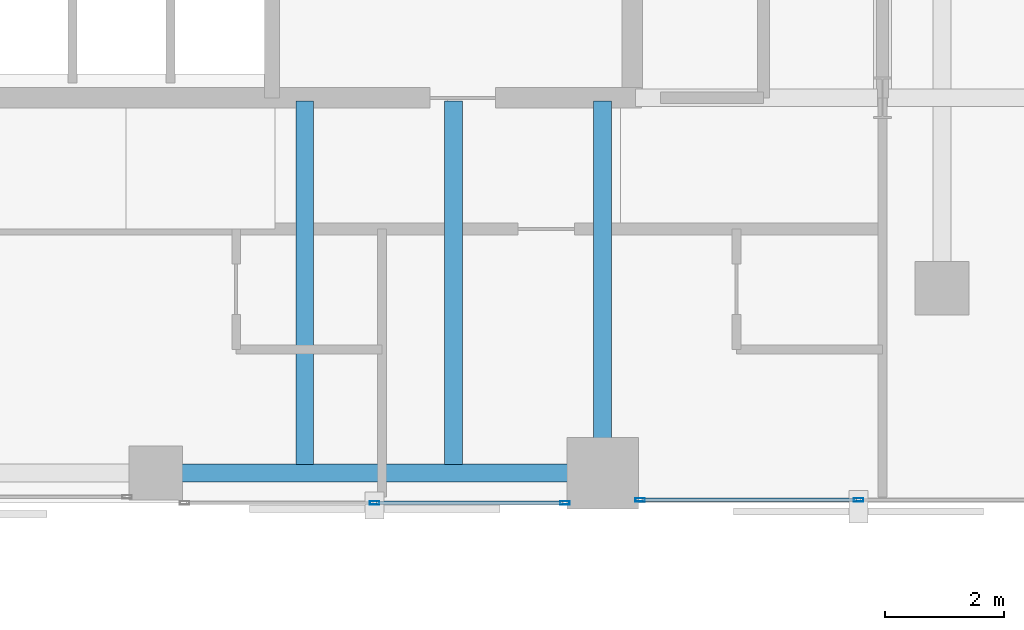
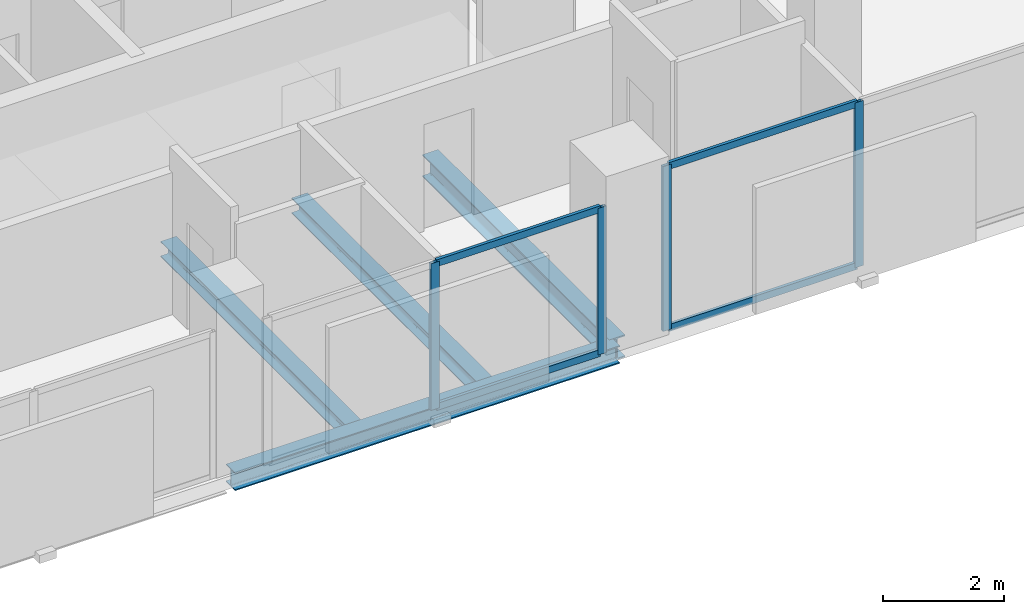
# One storey, part 14 of 33: 8 members, 4 beams, 2 elements without a shape of their own.
"""IFC4 building model written with IfcOpenShell, lengths in metres."""

from ifc_helpers import new_model, si_unit, direction, frame, origin, origin_2d, place, context, subcontext, project, spatial, hollow_rectangle, i_section, extrude, material, layer, layer_set, material_profile, profile_set, type_object, element, aggregate, save


model = new_model("IFC4")

# Units and contexts
model_context = context("Model", 3, precision=1e-05, world=origin(), true_north=direction((0.0, 1.0)))
body_context = subcontext(model_context, "Body", "Model", "MODEL_VIEW")
ifc_project = project(units=[si_unit("LENGTHUNIT", "METRE"), si_unit("AREAUNIT", "SQUARE_METRE"), si_unit("VOLUMEUNIT", "CUBIC_METRE"), si_unit("PLANEANGLEUNIT", "RADIAN"), si_unit("MASSUNIT", "GRAM", prefix="KILO")], contexts=[model_context])

# Site, building, storey
site_placement = place(None, origin())
site = spatial("IfcSite", under=ifc_project, at=site_placement, CompositionType="ELEMENT")
building_placement = place(site_placement, origin())
building = spatial("IfcBuilding", under=site, at=building_placement, Name="Catumbela Crestline Tower", CompositionType="ELEMENT")
storey_placement = place(building_placement, frame((0.0, 0.0, 108.0)))
storey = spatial("IfcBuildingStorey", under=building, at=storey_placement, Name="L27", CompositionType="ELEMENT", Elevation=108.0)

# Beams
ifc_material_1 = material(Name="Structural steel S355J2", Category="steel")
ifc_material_profile_1 = material_profile(ifc_material_1, i_section(OverallWidth=0.3, OverallDepth=0.45, WebThickness=0.014, FlangeThickness=0.026, FilletRadius=0.027, at=origin_2d()), Name="HEB 450")
ifc_profile_set_1 = profile_set([ifc_material_profile_1], Name="Structural steel S355J2")
beam_type_1 = type_object("IfcBeamType", Name="BG-HEB450", PredefinedType="BEAM", material=ifc_profile_set_1)
beam_1_placement = place(storey_placement, frame((39.5, 24.58, -0.485), z_axis=(0.0, 1.0, 0.0), x_axis=(-1.0, 0.0, 0.0)))
element("IfcBeam", 1, at=beam_1_placement, inside=storey, type_object=beam_type_1, Name="L27 Beam BM-L27-SNS31", PredefinedType="BEAM", context=body_context, shape_type="SweptSolid", body=[
    extrude(i_section(OverallWidth=0.3, OverallDepth=0.45, WebThickness=0.014, FlangeThickness=0.026, FilletRadius=0.027, at=origin_2d()), origin(), (0.0, 0.0, 1.0), 6.17),
])
ifc_material_profile_2 = material_profile(ifc_material_1, i_section(OverallWidth=0.3, OverallDepth=0.31, WebThickness=0.009, FlangeThickness=0.0155, FilletRadius=0.027, at=origin_2d()), Name="HEA 320")
ifc_profile_set_2 = profile_set([ifc_material_profile_2], Name="Structural steel S355J2")
beam_type_2 = type_object("IfcBeamType", Name="BJ-HEA320", PredefinedType="JOIST", material=ifc_profile_set_2)
for number, where, z_axis, x_axis, name in (
    (2, (34.5, 24.647, -0.415), (0.0, 1.0, 0.0), (-1.0, 0.0, 0.0), "L27 Joist JS-L27-SP41"),
    (3, (37.0, 24.647, -0.415), (0.0, 1.0, 0.0), (-1.0, 0.0, 0.0), "L27 Joist JS-L27-SP42"),
):
    element("IfcBeam", number, at=place(storey_placement, frame(where, z_axis=z_axis, x_axis=x_axis)), inside=storey, type_object=beam_type_2, Name=name, PredefinedType="JOIST", context=body_context, shape_type="SweptSolid", body=[
        extrude(i_section(OverallWidth=0.3, OverallDepth=0.31, WebThickness=0.009, FlangeThickness=0.0155, FilletRadius=0.027, at=origin_2d()), origin(), (0.0, 0.0, 1.0), 6.103),
    ])

# Curtain wall, members
ifc_material_2 = material(Name="Aluminium alloy AW-6060-T66", Category="aluminium")
ifc_layer = layer(ifc_material_2, 0.18, Name="Aluminium alloy AW-6060-T66")
ifc_layer_set = layer_set([ifc_layer], Name="Aluminium alloy AW-6060-T66")
curtain_wall_type = type_object("IfcCurtainWallType", Name="CWU-Z2", PredefinedType="USERDEFINED", material=ifc_layer_set)
curtain_wall_1_placement = place(storey_placement, origin())
curtain_wall_1 = element("IfcCurtainWall", 4, at=curtain_wall_1_placement, inside=storey, type_object=curtain_wall_type, Name="L27 Unitised Curtain Wall CW-L27-E3S2", ObjectType="UNITISED", PredefinedType="USERDEFINED")
ifc_material_profile_3 = material_profile(ifc_material_2, hollow_rectangle(XDim=0.06, YDim=0.16, WallThickness=0.004, at=origin_2d()), Name="ALU 160x60x4")
ifc_profile_set_3 = profile_set([ifc_material_profile_3], Name="Aluminium alloy AW-6060-T66")
member_type_1 = type_object("IfcMemberType", Name="MUL-160X60", PredefinedType="MULLION", material=ifc_profile_set_3)
member_1_placement = place(storey_placement, frame((35.675, 24.0, 0.0), z_axis=(0.0, 0.0, 1.0), x_axis=(0.0, 1.0, 0.0)))
member_1 = element("IfcMember", 5, at=member_1_placement, type_object=member_type_1, Name="CWU-Z2 mullion 2", PredefinedType="MULLION", context=body_context, shape_type="SweptSolid", body=[
    extrude(hollow_rectangle(XDim=0.06, YDim=0.16, WallThickness=0.004, at=origin_2d()), origin(), (0.0, 0.0, 1.0), 2.96),
])
member_2_placement = place(storey_placement, frame((38.8675, 24.0, 0.0), z_axis=(0.0, 0.0, 1.0), x_axis=(0.0, 1.0, 0.0)))
member_2 = element("IfcMember", 6, at=member_2_placement, type_object=member_type_1, Name="CWU-Z2 mullion 3", PredefinedType="MULLION", context=body_context, shape_type="SweptSolid", body=[
    extrude(hollow_rectangle(XDim=0.06, YDim=0.16, WallThickness=0.004, at=origin_2d()), origin(), (0.0, 0.0, 1.0), 2.96),
])

curtain_wall_2_placement = place(storey_placement, origin())
curtain_wall_2 = element("IfcCurtainWall", 7, at=curtain_wall_2_placement, inside=storey, type_object=curtain_wall_type, Name="L27 Unitised Curtain Wall CW-L27-E3S3", ObjectType="UNITISED", PredefinedType="USERDEFINED")
member_3_placement = place(storey_placement, frame((40.1325, 24.05, 0.0), z_axis=(0.0, 0.0, 1.0), x_axis=(0.0, 1.0, 0.0)))
member_3 = element("IfcMember", 8, at=member_3_placement, type_object=member_type_1, Name="CWU-Z2 mullion 1", PredefinedType="MULLION", context=body_context, shape_type="SweptSolid", body=[
    extrude(hollow_rectangle(XDim=0.06, YDim=0.16, WallThickness=0.004, at=origin_2d()), origin(), (0.0, 0.0, 1.0), 3.33),
])
member_4_placement = place(storey_placement, frame((43.8, 24.05, 0.0), z_axis=(0.0, 0.0, 1.0), x_axis=(0.0, 1.0, 0.0)))
member_4 = element("IfcMember", 9, at=member_4_placement, type_object=member_type_1, Name="CWU-Z2 mullion 2", PredefinedType="MULLION", context=body_context, shape_type="SweptSolid", body=[
    extrude(hollow_rectangle(XDim=0.06, YDim=0.16, WallThickness=0.004, at=origin_2d()), origin(), (0.0, 0.0, 1.0), 3.33),
])

# Beam
ifc_material_profile_4 = material_profile(ifc_material_1, i_section(OverallWidth=0.3, OverallDepth=0.36, WebThickness=0.0125, FlangeThickness=0.0225, FilletRadius=0.027, at=origin_2d()), Name="HEB 360")
ifc_profile_set_4 = profile_set([ifc_material_profile_4], Name="Structural steel S355J2")
beam_type_3 = type_object("IfcBeamType", Name="BS-HEB360", PredefinedType="SPANDREL", material=ifc_profile_set_4)
beam_2_placement = place(storey_placement, frame((32.08, 24.5, -0.44), z_axis=(1.0, 0.0, 0.0), x_axis=(0.0, 1.0, 0.0)))
element("IfcBeam", 10, at=beam_2_placement, inside=storey, type_object=beam_type_3, Name="L27 Spandrel SP-L27-S06", PredefinedType="SPANDREL", context=body_context, shape_type="SweptSolid", body=[
    extrude(i_section(OverallWidth=0.3, OverallDepth=0.36, WebThickness=0.0125, FlangeThickness=0.0225, FilletRadius=0.027, at=origin_2d()), origin(), (0.0, 0.0, 1.0), 7.34),
])

# Member
ifc_material_profile_5 = material_profile(ifc_material_2, hollow_rectangle(XDim=0.06, YDim=0.14, WallThickness=0.004, at=origin_2d()), Name="ALU 140x60x4")
ifc_profile_set_5 = profile_set([ifc_material_profile_5], Name="Aluminium alloy AW-6060-T66")
member_type_2 = type_object("IfcMemberType", Name="TRN-140X60", PredefinedType="USERDEFINED", material=ifc_profile_set_5)
member_5_placement = place(storey_placement, frame((35.7075, 24.0, 0.03), z_axis=(1.0, 0.0, 0.0), x_axis=(0.0, 1.0, 0.0)))
member_5 = element("IfcMember", 11, at=member_5_placement, type_object=member_type_2, Name="CWU-Z2 transom 2.1", ObjectType="TRANSOM", PredefinedType="USERDEFINED", context=body_context, shape_type="SweptSolid", body=[
    extrude(hollow_rectangle(XDim=0.06, YDim=0.14, WallThickness=0.004, at=origin_2d()), origin(), (0.0, 0.0, 1.0), 3.1275),
])

member_6_placement = place(storey_placement, frame((35.7075, 24.0, 2.93), z_axis=(1.0, 0.0, 0.0), x_axis=(0.0, 1.0, 0.0)))
member_6 = element("IfcMember", 12, at=member_6_placement, type_object=member_type_2, Name="CWU-Z2 transom 2.2", ObjectType="TRANSOM", PredefinedType="USERDEFINED", context=body_context, shape_type="SweptSolid", body=[
    extrude(hollow_rectangle(XDim=0.06, YDim=0.14, WallThickness=0.004, at=origin_2d()), origin(), (0.0, 0.0, 1.0), 3.1275),
])

aggregate(curtain_wall_1, [member_1, member_2, member_5, member_6])

member_7_placement = place(storey_placement, frame((40.165, 24.05, 0.03), z_axis=(1.0, 0.0, 0.0), x_axis=(0.0, 1.0, 0.0)))
member_7 = element("IfcMember", 13, at=member_7_placement, type_object=member_type_2, Name="CWU-Z2 transom 1.1", ObjectType="TRANSOM", PredefinedType="USERDEFINED", context=body_context, shape_type="SweptSolid", body=[
    extrude(hollow_rectangle(XDim=0.06, YDim=0.14, WallThickness=0.004, at=origin_2d()), origin(), (0.0, 0.0, 1.0), 3.6025),
])

member_8_placement = place(storey_placement, frame((40.165, 24.05, 3.3), z_axis=(1.0, 0.0, 0.0), x_axis=(0.0, 1.0, 0.0)))
member_8 = element("IfcMember", 14, at=member_8_placement, type_object=member_type_2, Name="CWU-Z2 transom 1.2", ObjectType="TRANSOM", PredefinedType="USERDEFINED", context=body_context, shape_type="SweptSolid", body=[
    extrude(hollow_rectangle(XDim=0.06, YDim=0.14, WallThickness=0.004, at=origin_2d()), origin(), (0.0, 0.0, 1.0), 3.6025),
])

aggregate(curtain_wall_2, [member_3, member_4, member_7, member_8])

save(model, "model.ifc")
